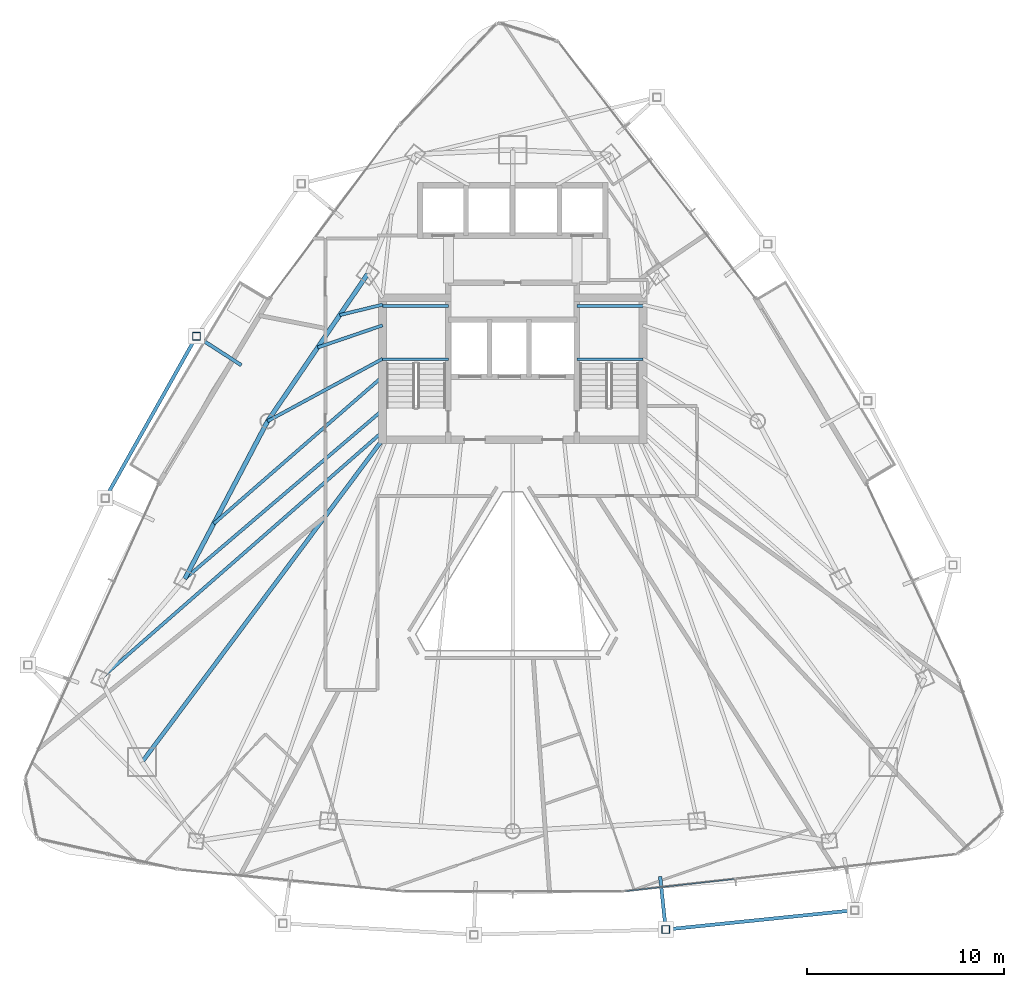
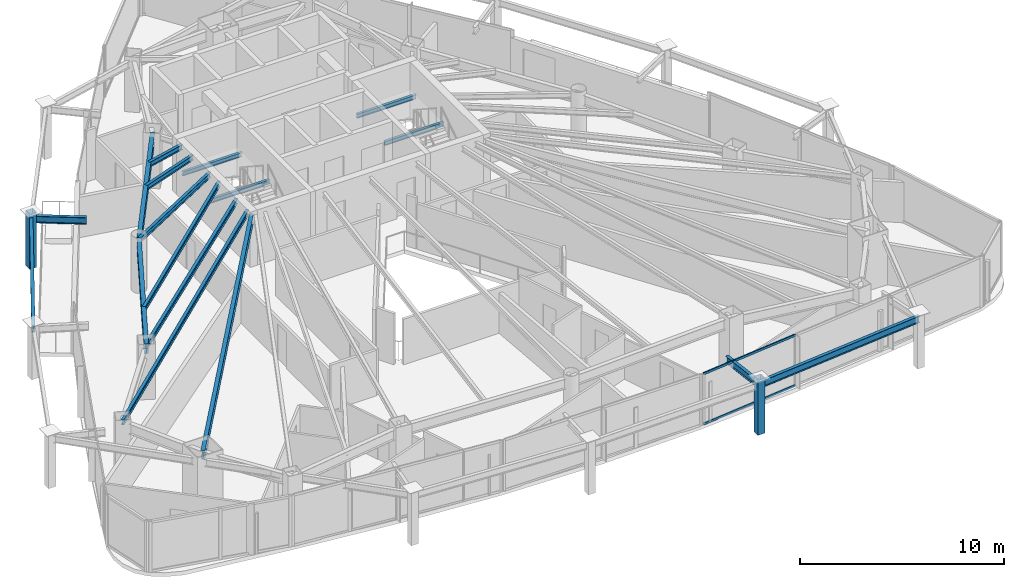
# One storey, part 11 of 29: 17 beams, 4 members, 1 element without a shape of its own.
"""IFC4 building model written with IfcOpenShell, lengths in metres."""

from ifc_helpers import new_model, si_unit, direction, frame, origin, origin_2d, place, context, subcontext, project, spatial, hollow_rectangle, i_section, extrude, material, layer, layer_set, material_profile, profile_set, type_object, element, aggregate, save


model = new_model("IFC4")

# Units and contexts
model_context = context("Model", 3, precision=1e-05, world=origin(), true_north=direction((0.0, 1.0)))
body_context = subcontext(model_context, "Body", "Model", "MODEL_VIEW")
ifc_project = project(units=[si_unit("LENGTHUNIT", "METRE"), si_unit("AREAUNIT", "SQUARE_METRE"), si_unit("VOLUMEUNIT", "CUBIC_METRE"), si_unit("PLANEANGLEUNIT", "RADIAN"), si_unit("MASSUNIT", "GRAM", prefix="KILO")], contexts=[model_context])

# Site, building, storey
site_placement = place(None, origin())
site = spatial("IfcSite", under=ifc_project, at=site_placement, CompositionType="ELEMENT")
building_placement = place(site_placement, origin())
building = spatial("IfcBuilding", under=site, at=building_placement, Name="Orvanel Arch Residences", CompositionType="ELEMENT")
storey_placement = place(building_placement, frame((0.0, 0.0, 167.14990234375)))
storey = spatial("IfcBuildingStorey", under=building, at=storey_placement, Name="L47", CompositionType="ELEMENT", Elevation=167.14990234375)

# Beams
ifc_material_1 = material(Name="Structural steel AS/NZS 3679.1 Grade 300 (300 MPa)", Category="steel")
ifc_material_profile_1 = material_profile(ifc_material_1, i_section(OverallWidth=0.208984375, OverallDepth=0.532958984375, WebThickness=0.01025390625, FlangeThickness=0.015625, at=origin_2d()), Name="530UB92.4")
ifc_profile_set_1 = profile_set([ifc_material_profile_1], Name="Structural steel AS/NZS 3679.1 Grade 300 (300 MPa)")
beam_type_1 = type_object("IfcBeamType", Name="BG-530UB", PredefinedType="BEAM", material=ifc_profile_set_1)
beam_1_placement = place(storey_placement, frame((26.375, 26.675048828125, 2.794189453125), z_axis=(-0.597893733742, -0.801575375839, 0.0), x_axis=(0.801575375839, -0.597893733742, 0.0)))
element("IfcBeam", 1, at=beam_1_placement, inside=storey, type_object=beam_type_1, Name="L47 South-West Radial Girder", PredefinedType="BEAM", context=body_context, shape_type="SweptSolid", body=[
    extrude(i_section(OverallWidth=0.208984375, OverallDepth=0.532958984375, WebThickness=0.01025390625, FlangeThickness=0.015625, at=origin_2d()), origin(), (0.0, 0.0, 1.0), 20.36474609375),
])
ifc_material_profile_2 = material_profile(ifc_material_1, i_section(OverallWidth=0.14599609375, OverallDepth=0.251953125, WebThickness=0.006103515625, FlangeThickness=0.008544921875, at=origin_2d()), Name="250UB31.4")
ifc_profile_set_2 = profile_set([ifc_material_profile_2], Name="Structural steel AS/NZS 3679.1 Grade 300 (300 MPa)")
beam_type_2 = type_object("IfcBeamType", Name="BJ-250UB", PredefinedType="JOIST", material=ifc_profile_set_2)
for number, where, z_axis, x_axis, name in (
    (2, (26.39990234375, 30.780029296875, 1.32421875), (1.0, 0.0, 0.0), (0.0, 1.0, 0.0), "L47 ST-1 Half-Landing Support Beam 1.1"),
    (3, (26.39990234375, 33.47998046875, 1.32421875), (1.0, 0.0, 0.0), (0.0, 1.0, 0.0), "L47 ST-1 Half-Landing Support Beam 1.2"),
    (4, (36.25, 30.780029296875, 1.32421875), (1.0, 0.0, 0.0), (0.0, 1.0, 0.0), "L47 ST-2 Half-Landing Support Beam 1.1"),
    (5, (36.25, 33.47998046875, 1.32421875), (1.0, 0.0, 0.0), (0.0, 1.0, 0.0), "L47 ST-2 Half-Landing Support Beam 1.2"),
):
    element("IfcBeam", number, at=place(storey_placement, frame(where, z_axis=z_axis, x_axis=x_axis)), inside=storey, type_object=beam_type_2, Name=name, PredefinedType="JOIST", context=body_context, shape_type="SweptSolid", body=[
        extrude(i_section(OverallWidth=0.14599609375, OverallDepth=0.251953125, WebThickness=0.006103515625, FlangeThickness=0.008544921875, at=origin_2d()), origin(), (0.0, 0.0, 1.0), 3.35009765625),
    ])
ifc_material_profile_3 = material_profile(ifc_material_1, i_section(OverallWidth=0.1650390625, OverallDepth=0.303955078125, WebThickness=0.006103515625, FlangeThickness=0.01025390625, at=origin_2d()), Name="310UB40.4")
ifc_profile_set_3 = profile_set([ifc_material_profile_3], Name="Structural steel AS/NZS 3679.1 Grade 300 (300 MPa)")
beam_type_3 = type_object("IfcBeamType", Name="BJ-310UB", PredefinedType="JOIST", material=ifc_profile_set_3)
beam_2_placement = place(storey_placement, frame((26.39990234375, 30.800048828125, 2.908203125), z_axis=(-0.87925534649, -0.476350748576, 0.0), x_axis=(0.476350748576, -0.87925534649, 0.0)))
element("IfcBeam", 6, at=beam_2_placement, inside=storey, type_object=beam_type_3, Name="L47 NW Wing Floor Joist", PredefinedType="JOIST", context=body_context, shape_type="SweptSolid", body=[
    extrude(i_section(OverallWidth=0.1650390625, OverallDepth=0.303955078125, WebThickness=0.006103515625, FlangeThickness=0.01025390625, at=origin_2d()), origin(), (0.0, 0.0, 1.0), 6.631591796875),
])
beam_3_placement = place(storey_placement, frame((26.39990234375, 28.199951171875, 2.908203125), z_axis=(-0.760821315761, -0.648961420644, 0.0), x_axis=(0.648961420644, -0.760821315761, 0.0)))
element("IfcBeam", 7, at=beam_3_placement, inside=storey, type_object=beam_type_3, Name="L47 W Wing Floor Joist", PredefinedType="JOIST", context=body_context, shape_type="SweptSolid", body=[
    extrude(i_section(OverallWidth=0.1650390625, OverallDepth=0.303955078125, WebThickness=0.006103515625, FlangeThickness=0.01025390625, at=origin_2d()), origin(), (0.0, 0.0, 1.0), 13.18701171875),
])
beam_4_placement = place(storey_placement, frame((26.39990234375, 32.5, 2.908203125), z_axis=(-0.946441958332, -0.322873999431, 0.0), x_axis=(0.322873999431, -0.946441958332, 0.0)))
element("IfcBeam", 8, at=beam_4_placement, inside=storey, type_object=beam_type_3, Name="L47 WNW Wing Floor Joist", PredefinedType="JOIST", context=body_context, shape_type="SweptSolid", body=[
    extrude(i_section(OverallWidth=0.1650390625, OverallDepth=0.303955078125, WebThickness=0.006103515625, FlangeThickness=0.01025390625, at=origin_2d()), origin(), (0.0, 0.0, 1.0), 3.478271484375),
])
beam_5_placement = place(storey_placement, frame((26.39990234375, 27.10009765625, 2.908203125), z_axis=(-0.752493154183, -0.658600070534, 0.0), x_axis=(0.658600070534, -0.752493154183, 0.0)))
element("IfcBeam", 9, at=beam_5_placement, inside=storey, type_object=beam_type_3, Name="L47 MW Wing Floor Joist", PredefinedType="JOIST", context=body_context, shape_type="SweptSolid", body=[
    extrude(i_section(OverallWidth=0.1650390625, OverallDepth=0.303955078125, WebThickness=0.006103515625, FlangeThickness=0.01025390625, at=origin_2d()), origin(), (0.0, 0.0, 1.0), 19.010009765625),
])
beam_6_placement = place(storey_placement, frame((26.39990234375, 29.89990234375, 2.908203125), z_axis=(-0.754047930849, -0.656819395254, 0.0), x_axis=(0.656819395254, -0.754047930849, 0.0)))
element("IfcBeam", 10, at=beam_6_placement, inside=storey, type_object=beam_type_3, Name="L47 CTW Wing Floor Joist", PredefinedType="JOIST", context=body_context, shape_type="SweptSolid", body=[
    extrude(i_section(OverallWidth=0.1650390625, OverallDepth=0.303955078125, WebThickness=0.006103515625, FlangeThickness=0.01025390625, at=origin_2d()), origin(), (0.0, 0.0, 1.0), 11.354736328125),
])
beam_7_placement = place(storey_placement, frame((26.39990234375, 33.550048828125, 2.908203125), z_axis=(-0.971638471014, -0.236471312521, 0.0), x_axis=(0.236471312521, -0.971638471014, 0.0)))
element("IfcBeam", 11, at=beam_7_placement, inside=storey, type_object=beam_type_3, Name="L47 JADD3 Wing Floor Joist", PredefinedType="JOIST", context=body_context, shape_type="SweptSolid", body=[
    extrude(i_section(OverallWidth=0.1650390625, OverallDepth=0.303955078125, WebThickness=0.006103515625, FlangeThickness=0.01025390625, at=origin_2d()), origin(), (0.0, 0.0, 1.0), 2.2373046875),
])
ifc_material_profile_4 = material_profile(ifc_material_1, i_section(OverallWidth=0.177978515625, OverallDepth=0.406005859375, WebThickness=0.0078125, FlangeThickness=0.0126953125, at=origin_2d()), Name="410UB59.7")
ifc_profile_set_4 = profile_set([ifc_material_profile_4], Name="Structural steel AS/NZS 3679.1 Grade 300 (300 MPa)")
beam_type_4 = type_object("IfcBeamType", Name="OB-410UB-EXT", PredefinedType="SPANDREL", material=ifc_profile_set_4)
beam_8_placement = place(storey_placement, frame((19.23388671875, 30.47998046875, 2.857177734375), z_axis=(-0.840239663799, 0.542215185493, 0.0), x_axis=(-0.542215185493, -0.840239663799, 0.0)))
element("IfcBeam", 12, at=beam_8_placement, inside=storey, type_object=beam_type_4, Name="L47 Outer Frame Radial Tie Beam 02", PredefinedType="SPANDREL", context=body_context, shape_type="SweptSolid", body=[
    extrude(i_section(OverallWidth=0.177978515625, OverallDepth=0.406005859375, WebThickness=0.0078125, FlangeThickness=0.0126953125, at=origin_2d()), origin(), (0.0, 0.0, 1.0), 2.70751953125),
])
beam_9_placement = place(storey_placement, frame((16.958984375, 31.947998046875, 2.857177734375), z_axis=(-0.490269847932, -0.8715706949, 0.0), x_axis=(0.8715706949, -0.490269847932, 0.0)))
element("IfcBeam", 13, at=beam_9_placement, inside=storey, type_object=beam_type_4, Name="L47 Outer Perimeter Floor Ring Beam 02", PredefinedType="SPANDREL", context=body_context, shape_type="SweptSolid", body=[
    extrude(i_section(OverallWidth=0.177978515625, OverallDepth=0.406005859375, WebThickness=0.0078125, FlangeThickness=0.0126953125, at=origin_2d()), origin(), (0.0, 0.0, 1.0), 9.425537109375),
])
beam_10_placement = place(storey_placement, frame((40.47900390625, 4.5458984375, 2.857177734375), z_axis=(0.104501734568, -0.994524704305, 0.0), x_axis=(0.994524704305, 0.104501734568, 0.0)))
element("IfcBeam", 14, at=beam_10_placement, inside=storey, type_object=beam_type_4, Name="L47 Outer Frame Radial Tie Beam 07", PredefinedType="SPANDREL", context=body_context, shape_type="SweptSolid", body=[
    extrude(i_section(OverallWidth=0.177978515625, OverallDepth=0.406005859375, WebThickness=0.0078125, FlangeThickness=0.0126953125, at=origin_2d()), origin(), (0.0, 0.0, 1.0), 2.707763671875),
])
beam_11_placement = place(storey_placement, frame((40.761962890625, 1.85302734375, 2.857177734375), z_axis=(0.994800006325, 0.101847667696, 0.0), x_axis=(-0.101847667696, 0.994800006325, 0.0)))
element("IfcBeam", 15, at=beam_11_placement, inside=storey, type_object=beam_type_4, Name="L47 Outer Perimeter Floor Ring Beam 07", PredefinedType="SPANDREL", context=body_context, shape_type="SweptSolid", body=[
    extrude(i_section(OverallWidth=0.177978515625, OverallDepth=0.406005859375, WebThickness=0.0078125, FlangeThickness=0.0126953125, at=origin_2d()), origin(), (0.0, 0.0, 1.0), 9.64111328125),
])
ifc_material_profile_5 = material_profile(ifc_material_1, i_section(OverallWidth=0.22900390625, OverallDepth=0.612060546875, WebThickness=0.011962890625, FlangeThickness=0.01953125, at=origin_2d()), Name="610UB125")
ifc_profile_set_5 = profile_set([ifc_material_profile_5], Name="Structural steel AS/NZS 3679.1 Grade 300 (300 MPa)")
beam_type_5 = type_object("IfcBeamType", Name="SP-610UB", PredefinedType="SPANDREL", material=ifc_profile_set_5)
beam_12_placement = place(storey_placement, frame((25.64794921875, 35.113037109375, 2.754150390625), z_axis=(-0.562154793153, -0.827032035978, 0.0), x_axis=(0.827032035978, -0.562154793153, 0.0)))
element("IfcBeam", 16, at=beam_12_placement, inside=storey, type_object=beam_type_5, Name="L47 Perimeter Spandrel Beam 17", PredefinedType="SPANDREL", context=body_context, shape_type="SweptSolid", body=[
    extrude(i_section(OverallWidth=0.22900390625, OverallDepth=0.612060546875, WebThickness=0.011962890625, FlangeThickness=0.01953125, at=origin_2d()), origin(), (0.0, 0.0, 1.0), 9.03466796875),
])
beam_13_placement = place(storey_placement, frame((20.569091796875, 27.64111328125, 2.754150390625), z_axis=(-0.465064762793, -0.885276660942, 0.0), x_axis=(0.885276660942, -0.465064762793, 0.0)))
element("IfcBeam", 17, at=beam_13_placement, inside=storey, type_object=beam_type_5, Name="L47 Perimeter Spandrel Beam 18", PredefinedType="SPANDREL", context=body_context, shape_type="SweptSolid", body=[
    extrude(i_section(OverallWidth=0.22900390625, OverallDepth=0.612060546875, WebThickness=0.011962890625, FlangeThickness=0.01953125, at=origin_2d()), origin(), (0.0, 0.0, 1.0), 9.03564453125),
])

# Members
ifc_material_2 = material(Name="Structural steel AS/NZS 1163 C450L0 (Grade 450)", Category="steel")
ifc_material_profile_6 = material_profile(ifc_material_2, hollow_rectangle(XDim=0.39990234375, YDim=0.39990234375, WallThickness=0.01611328125, at=origin_2d()), Name="SHS400x400x16")
ifc_profile_set_6 = profile_set([ifc_material_profile_6], Name="Structural steel AS/NZS 1163 C450L0 (Grade 450)")
member_type_1 = type_object("IfcMemberType", Name="ST-400SHS-EXT", PredefinedType="STRUT", material=ifc_profile_set_6)
for number, where, z_axis, x_axis, name in (
    (18, (16.958984375, 31.947998046875, 0.0), (0.0, 0.0, 1.0), (1.0, 0.0, 0.0), "L47 Outer Perimeter Frame Post 02"),
    (19, (40.761962890625, 1.85302734375, 0.0), (0.0, 0.0, 1.0), (1.0, 0.0, 0.0), "L47 Outer Perimeter Frame Post 07"),
):
    element("IfcMember", number, at=place(storey_placement, frame(where, z_axis=z_axis, x_axis=x_axis)), inside=storey, type_object=member_type_1, Name=name, PredefinedType="STRUT", context=body_context, shape_type="SweptSolid", body=[
        extrude(hollow_rectangle(XDim=0.39990234375, YDim=0.39990234375, WallThickness=0.01611328125, at=origin_2d()), origin(), (0.0, 0.0, 1.0), 3.300048828125),
    ])

# Curtain wall, members
ifc_material_3 = material(Name="Bronze-anodised aluminium AA6063-T6", Category="aluminium")
ifc_layer = layer(ifc_material_3, 0.179931640625)
ifc_layer_set = layer_set([ifc_layer], Name="Bronze-anodised aluminium AA6063-T6")
curtain_wall_type = type_object("IfcCurtainWallType", Name="CW3-MID-SYS", PredefinedType="NOTDEFINED", material=ifc_layer_set)
curtain_wall_placement = place(storey_placement, origin())
curtain_wall = element("IfcCurtainWall", 20, at=curtain_wall_placement, inside=storey, type_object=curtain_wall_type, Name="L47 CW3-MID-SYS Unitised Curtain Wall", PredefinedType="NOTDEFINED")
ifc_material_profile_7 = material_profile(ifc_material_3, hollow_rectangle(XDim=0.06005859375, YDim=0.135009765625, WallThickness=0.00390625, at=origin_2d()), Name="ALU135x60x4")
ifc_profile_set_7 = profile_set([ifc_material_profile_7], Name="Bronze-anodised aluminium AA6063-T6")
member_type_2 = type_object("IfcMemberType", Name="TRN-135x60", PredefinedType="USERDEFINED", material=ifc_profile_set_7)
member_1_placement = place(storey_placement, frame((38.73046875, 3.802734375, 0.030029296875), z_axis=(0.993863897635, 0.110609913558, 0.0), x_axis=(-0.110609913558, 0.993863897635, 0.0)))
member_1 = element("IfcMember", 21, at=member_1_placement, type_object=member_type_2, Name="CW-S3 transom 1.1", ObjectType="TRANSOM", PredefinedType="USERDEFINED", context=body_context, shape_type="SweptSolid", body=[
    extrude(hollow_rectangle(XDim=0.06005859375, YDim=0.135009765625, WallThickness=0.00390625, at=origin_2d()), origin(), (0.0, 0.0, 1.0), 5.557861328125),
])
member_2_placement = place(storey_placement, frame((38.73046875, 3.802734375, 3.030029296875), z_axis=(0.993863897635, 0.110609913558, 0.0), x_axis=(-0.110609913558, 0.993863897635, 0.0)))
member_2 = element("IfcMember", 22, at=member_2_placement, type_object=member_type_2, Name="CW-S3 transom 1.2", ObjectType="TRANSOM", PredefinedType="USERDEFINED", context=body_context, shape_type="SweptSolid", body=[
    extrude(hollow_rectangle(XDim=0.06005859375, YDim=0.135009765625, WallThickness=0.00390625, at=origin_2d()), origin(), (0.0, 0.0, 1.0), 5.557861328125),
])
aggregate(curtain_wall, [member_1, member_2])

save(model, "model.ifc")
